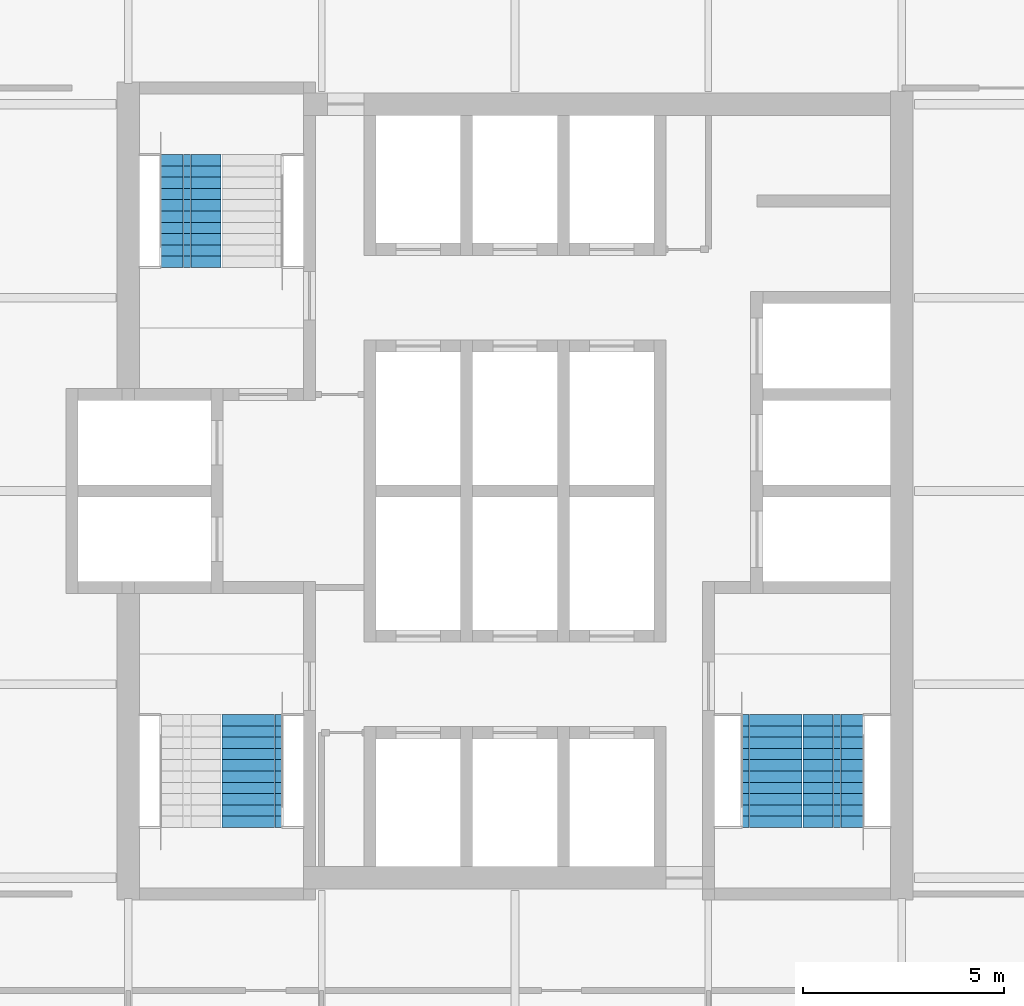
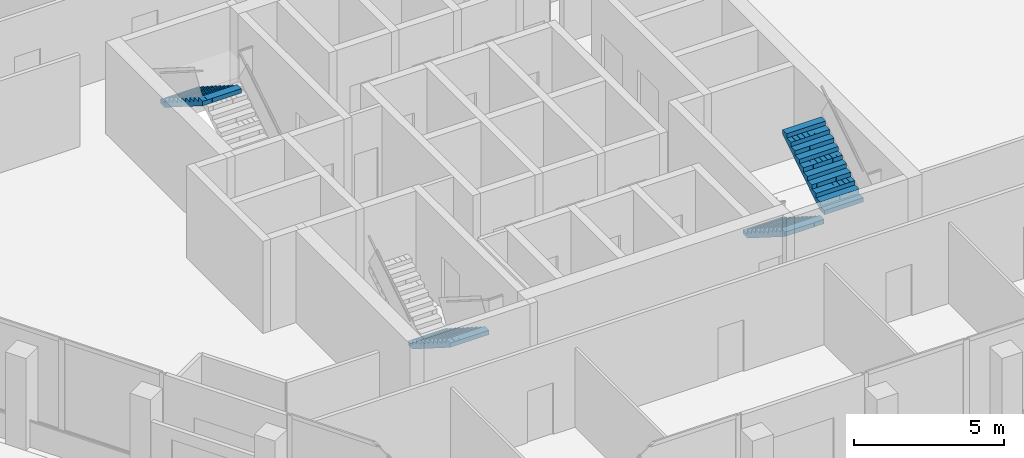
# One storey, part 11 of 14: 4 stair flights, 3 elements without a shape of their own.
"""IFC4 building model written with IfcOpenShell, lengths in metres."""

import ifcopenshell
import ifcopenshell.guid

model = None  # the IFC model being written
_history = None  # IfcOwnerHistory: only IFC2X3 demands one
_inside = {}  # id of a spatial element -> (the spatial element, [elements in it])
_under = {}  # id of a project, library or spatial element -> (it, [spatial elements below it])
_declared = {}  # id of a project -> (the project, [libraries it declares])
_typed = {}  # id of a type object -> (the type object, [elements of that type])
_made_of = {}  # id of a material, layer set ... -> (it, [elements and type objects made of it])


def new_model(schema):
    """Start an empty IFC model of exactly this schema.

    Asked for "IFC4X3", IfcOpenShell would pick the latest addendum, in which some entities
    have other attributes; the version numbers below select the first issue.
    IFC2X3 requires an IfcOwnerHistory on every rooted entity: one is made here for all.
    """
    global model, _history
    if schema == "IFC4X3":
        model = ifcopenshell.file(schema_version=(4, 3, 0, 0))
    else:
        model = ifcopenshell.file(schema=schema)
    _inside.clear()
    _under.clear()
    _declared.clear()
    _typed.clear()
    _made_of.clear()
    _history = None
    if model.schema == "IFC2X3":
        org = make("IfcOrganization", Name="unknown")
        user = make(
            "IfcPersonAndOrganization",
            ThePerson=make("IfcPerson", FamilyName="unknown"),
            TheOrganization=org,
        )
        app = make(
            "IfcApplication",
            ApplicationDeveloper=org,
            Version="unknown",
            ApplicationFullName="unknown",
            ApplicationIdentifier="unknown",
        )
        _history = make(
            "IfcOwnerHistory",
            OwningUser=user,
            OwningApplication=app,
            ChangeAction="ADDED",
            CreationDate=0,
        )
    return model


def make(cls, **values):
    """One entity of the class cls with the attributes given. An attribute that is None is left unset."""
    return model.create_entity(
        cls, **{name: value for name, value in values.items() if value is not None}
    )


def rooted(cls, **values):
    """An entity with a GlobalId (a new one), such as an element, a storey or a relation."""
    return make(cls, GlobalId=ifcopenshell.guid.new(), OwnerHistory=_history, **values)


def si_unit(unit_type, name, prefix=None):
    """IfcSIUnit, for example si_unit("LENGTHUNIT", "METRE", prefix="MILLI")."""
    return make("IfcSIUnit", UnitType=unit_type, Prefix=prefix, Name=name)


def assignment(units):
    """IfcUnitAssignment: the units of a project."""
    return None if units is None else make("IfcUnitAssignment", Units=units)


def point(xyz):
    """IfcCartesianPoint."""
    return None if xyz is None else make("IfcCartesianPoint", Coordinates=xyz)


def direction(xyz):
    """IfcDirection."""
    return None if xyz is None else make("IfcDirection", DirectionRatios=xyz)


def frame(location, z_axis=None, x_axis=None):
    """IfcAxis2Placement3D, a coordinate frame: its origin and axes. An axis left out is left unset."""
    return make(
        "IfcAxis2Placement3D",
        Location=point(location),
        Axis=direction(z_axis),
        RefDirection=direction(x_axis),
    )


def origin():
    """The frame at (0, 0, 0) with its axes left unset."""
    return frame((0.0, 0.0, 0.0))


def place(relative_to, where):
    """IfcLocalPlacement: puts the frame where relative to a parent placement (None: the world)."""
    return make(
        "IfcLocalPlacement", PlacementRelTo=relative_to, RelativePlacement=where
    )


def context(
    kind, dimensions, precision=None, world=None, true_north=None, identifier=None
):
    """IfcGeometricRepresentationContext, for example the 3D "Model" context."""
    return make(
        "IfcGeometricRepresentationContext",
        ContextIdentifier=identifier,
        ContextType=kind,
        CoordinateSpaceDimension=dimensions,
        Precision=precision,
        WorldCoordinateSystem=world,
        TrueNorth=true_north,
    )


def subcontext(parent, identifier, kind, view, scale=None):
    """IfcGeometricRepresentationSubContext, for example "Body" below "Model"."""
    return make(
        "IfcGeometricRepresentationSubContext",
        ContextIdentifier=identifier,
        ContextType=kind,
        ParentContext=parent,
        TargetScale=scale,
        TargetView=view,
    )


def project(units=None, contexts=None):
    """IfcProject with its units and contexts."""
    return rooted(
        "IfcProject",
        Name="project",
        RepresentationContexts=contexts,
        UnitsInContext=assignment(units),
    )


def spatial(cls, under=None, at=None, **own):
    """A site, building, storey or space (cls), placed at a placement, below another one or the project."""
    s = rooted(cls, ObjectPlacement=at, **own)
    if under is not None:
        _under.setdefault(under.id(), (under, []))[1].append(s)
    return s


def polyline(points):
    """IfcPolyline through the points."""
    return make("IfcPolyline", Points=[point(p) for p in points])


def outline(outer, holes=None, kind="AREA"):
    """IfcArbitraryClosedProfileDef: a profile drawn as a closed curve; with holes, ...WithVoids."""
    if holes is None:
        return make("IfcArbitraryClosedProfileDef", ProfileType=kind, OuterCurve=outer)
    return make(
        "IfcArbitraryProfileDefWithVoids",
        ProfileType=kind,
        OuterCurve=outer,
        InnerCurves=holes,
    )


def extrude(swept, where, along, depth):
    """IfcExtrudedAreaSolid: the profile swept, set in the frame where, extruded along a direction by depth."""
    return make(
        "IfcExtrudedAreaSolid",
        SweptArea=swept,
        Position=where,
        ExtrudedDirection=direction(along),
        Depth=depth,
    )


def shape(context_of_items, identifier, shape_type, items):
    """IfcShapeRepresentation: the items that make up one representation, for example the "Body"."""
    return make(
        "IfcShapeRepresentation",
        ContextOfItems=context_of_items,
        RepresentationIdentifier=identifier,
        RepresentationType=shape_type,
        Items=items,
    )


def material(Name=None, Category=None):
    """IfcMaterial."""
    return make("IfcMaterial", Name=Name, Category=Category)


def made_of(thing, what):
    """Note that an element or type object is made of a material, layer set ...; save() writes the relation."""
    if what is not None:
        _made_of.setdefault(what.id(), (what, []))[1].append(thing)
    return thing


def type_object(cls, material=None, **own):
    """A type object (cls), such as IfcWallType, which elements share."""
    return made_of(rooted(cls, **own), material)


def element(
    cls,
    number,
    at=None,
    inside=None,
    cuts=None,
    type_object=None,
    material=None,
    context=None,
    identifier="Body",
    shape_type=None,
    held_by="IfcProductDefinitionShape",
    body=None,
    shapes=None,
    **own,
):
    """One element of the class cls, such as IfcWall. Its Tag is "e" and its number.

    at: its placement. inside: the storey or other place that contains it. cuts: it is an
    opening in that element (IfcRelVoidsElement). A single representation is given by context,
    identifier, shape_type and body (its items); several are given by shapes. held_by: the class
    of the entity that holds the representations. save() writes the other relations.
    """
    e = rooted(cls, Tag="e%d" % number, ObjectPlacement=at, **own)
    if body is not None:
        shapes = [shape(context, identifier, shape_type, body)]
    if shapes is not None:
        e.Representation = make(held_by, Representations=shapes)
    if inside is not None:
        _inside.setdefault(inside.id(), (inside, []))[1].append(e)
    if cuts is not None:
        rooted(
            "IfcRelVoidsElement", RelatingBuildingElement=cuts, RelatedOpeningElement=e
        )
    if type_object is not None:
        _typed.setdefault(type_object.id(), (type_object, []))[1].append(e)
    return made_of(e, material)


def aggregate(whole, parts):
    """IfcRelAggregates: a whole, such as a stair, and the parts it consists of."""
    return rooted("IfcRelAggregates", RelatingObject=whole, RelatedObjects=parts)


def save(model, path):
    """Write the relations noted so far, then the file.

    IfcRelAggregates (storeys below a building ...), IfcRelContainedInSpatialStructure (elements
    in a storey), IfcRelDefinesByType, IfcRelAssociatesMaterial and IfcRelDeclares: one each for
    every whole, place, type object, material and project.
    """
    for whole, parts in _under.values():
        aggregate(whole, parts)
    for where, things in _inside.values():
        rooted(
            "IfcRelContainedInSpatialStructure",
            RelatedElements=things,
            RelatingStructure=where,
        )
    for kind, things in _typed.values():
        rooted("IfcRelDefinesByType", RelatedObjects=things, RelatingType=kind)
    for what, things in _made_of.values():
        rooted("IfcRelAssociatesMaterial", RelatedObjects=things, RelatingMaterial=what)
    for by, libraries in _declared.values():
        rooted("IfcRelDeclares", RelatingContext=by, RelatedDefinitions=libraries)
    model.write(path)


model = new_model("IFC4")

# Units and contexts
model_context = context("Model", 3, precision=1e-05, world=origin(), true_north=direction((0.0, 1.0)))
body_context = subcontext(model_context, "Body", "Model", "MODEL_VIEW")
ifc_project = project(units=[si_unit("LENGTHUNIT", "METRE"), si_unit("AREAUNIT", "SQUARE_METRE"), si_unit("VOLUMEUNIT", "CUBIC_METRE"), si_unit("PLANEANGLEUNIT", "RADIAN"), si_unit("MASSUNIT", "GRAM", prefix="KILO")], contexts=[model_context])

# Site, building, storey
site_placement = place(None, origin())
site = spatial("IfcSite", under=ifc_project, at=site_placement, CompositionType="ELEMENT")
building_placement = place(site_placement, origin())
building = spatial("IfcBuilding", under=site, at=building_placement, Name="Kolab Exchange Tower", CompositionType="ELEMENT")
storey_placement = place(building_placement, frame((0.0, 0.0, 222.800048828125)))
storey = spatial("IfcBuildingStorey", under=building, at=storey_placement, Name="L48", CompositionType="ELEMENT", Elevation=222.800048828125)

# Stair, stair flight
ifc_material = material(Name="Concrete C50/60", Category="concrete")
stair_type_1 = type_object("IfcStairType", Name="STAIR ST1 RISER 177.3", PredefinedType="HALF_TURN_STAIR", material=ifc_material)
stair_1_placement = place(storey_placement, origin())
stair_1 = element("IfcStair", 1, at=stair_1_placement, inside=storey, type_object=stair_type_1, Name="Stair 1", PredefinedType="HALF_TURN_STAIR")
stair_flight_type = type_object("IfcStairFlightType", Name="STAIR FLIGHT 1500 RISER 177.3", PredefinedType="STRAIGHT", material=ifc_material)
stair_flight_1_placement = place(storey_placement, frame((-8.047607421875, 8.35009765625, 1.949951171875), z_axis=(0.0, 0.0, 1.0), x_axis=(0.0, -1.0, 0.0)))
stair_flight_1 = element("IfcStairFlight", 2, at=stair_flight_1_placement, type_object=stair_flight_type, Name="ST1 flight 2", NumberOfRisers=11, NumberOfTreads=10, PredefinedType="STRAIGHT", RiserHeight=0.177272727, TreadLength=0.28, context=body_context, shape_type="SweptSolid", body=[
    extrude(outline(polyline([(0.0, 0.0), (0.0, 0.17724609375), (0.280029296875, 0.17724609375), (0.280029296875, 0.3544921875), (0.56005859375, 0.3544921875), (0.56005859375, 0.53173828125), (0.840087890625, 0.53173828125), (0.840087890625, 0.708984375), (1.1201171875, 0.708984375), (1.1201171875, 0.886474609375), (1.39990234375, 0.886474609375), (1.39990234375, 1.063720703125), (1.679931640625, 1.063720703125), (1.679931640625, 1.240966796875), (1.9599609375, 1.240966796875), (1.9599609375, 1.418212890625), (2.239990234375, 1.418212890625), (2.239990234375, 1.595458984375), (2.52001953125, 1.595458984375), (2.52001953125, 1.772705078125), (2.800048828125, 1.772705078125), (2.800048828125, 1.949951171875), (2.800048828125, 1.59521484375), (0.2802734375, 0.0), (0.0, 0.0)])), frame((0.0, 0.75, 0.0), z_axis=(0.0, -1.0, 0.0), x_axis=(1.0, 0.0, 0.0)), (0.0, 0.0, 1.0), 0.185791015625),
    extrude(outline(polyline([(0.0, 0.0), (0.0, 0.17724609375), (0.280029296875, 0.17724609375), (0.280029296875, 0.3544921875), (0.56005859375, 0.3544921875), (0.56005859375, 0.53173828125), (0.840087890625, 0.53173828125), (0.840087890625, 0.708984375), (1.1201171875, 0.708984375), (1.1201171875, 0.886474609375), (1.39990234375, 0.886474609375), (1.39990234375, 1.063720703125), (1.679931640625, 1.063720703125), (1.679931640625, 1.240966796875), (1.9599609375, 1.240966796875), (1.9599609375, 1.418212890625), (2.239990234375, 1.418212890625), (2.239990234375, 1.595458984375), (2.52001953125, 1.595458984375), (2.52001953125, 1.772705078125), (2.800048828125, 1.772705078125), (2.800048828125, 1.949951171875), (2.800048828125, 1.59521484375), (0.2802734375, 0.0), (0.0, 0.0)])), frame((0.0, 0.562255859375, 0.0), z_axis=(0.0, -1.0, 0.0), x_axis=(1.0, 0.0, 0.0)), (0.0, 0.0, 1.0), 0.185791015625),
    extrude(outline(polyline([(0.0, 0.0), (0.0, 0.17724609375), (0.280029296875, 0.17724609375), (0.280029296875, 0.3544921875), (0.56005859375, 0.3544921875), (0.56005859375, 0.53173828125), (0.840087890625, 0.53173828125), (0.840087890625, 0.708984375), (1.1201171875, 0.708984375), (1.1201171875, 0.886474609375), (1.39990234375, 0.886474609375), (1.39990234375, 1.063720703125), (1.679931640625, 1.063720703125), (1.679931640625, 1.240966796875), (1.9599609375, 1.240966796875), (1.9599609375, 1.418212890625), (2.239990234375, 1.418212890625), (2.239990234375, 1.595458984375), (2.52001953125, 1.595458984375), (2.52001953125, 1.772705078125), (2.800048828125, 1.772705078125), (2.800048828125, 1.949951171875), (2.800048828125, 1.59521484375), (0.2802734375, 0.0), (0.0, 0.0)])), frame((0.0, 0.37451171875, 0.0), z_axis=(0.0, -1.0, 0.0), x_axis=(1.0, 0.0, 0.0)), (0.0, 0.0, 1.0), 0.185791015625),
    extrude(outline(polyline([(0.0, 0.0), (0.0, 0.17724609375), (0.280029296875, 0.17724609375), (0.280029296875, 0.3544921875), (0.56005859375, 0.3544921875), (0.56005859375, 0.53173828125), (0.840087890625, 0.53173828125), (0.840087890625, 0.708984375), (1.1201171875, 0.708984375), (1.1201171875, 0.886474609375), (1.39990234375, 0.886474609375), (1.39990234375, 1.063720703125), (1.679931640625, 1.063720703125), (1.679931640625, 1.240966796875), (1.9599609375, 1.240966796875), (1.9599609375, 1.418212890625), (2.239990234375, 1.418212890625), (2.239990234375, 1.595458984375), (2.52001953125, 1.595458984375), (2.52001953125, 1.772705078125), (2.800048828125, 1.772705078125), (2.800048828125, 1.949951171875), (2.800048828125, 1.59521484375), (0.2802734375, 0.0), (0.0, 0.0)])), frame((0.0, 0.186767578125, 0.0), z_axis=(0.0, -1.0, 0.0), x_axis=(1.0, 0.0, 0.0)), (0.0, 0.0, 1.0), 0.185791015625),
    extrude(outline(polyline([(0.0, 0.0), (0.0, 0.17724609375), (0.280029296875, 0.17724609375), (0.280029296875, 0.3544921875), (0.56005859375, 0.3544921875), (0.56005859375, 0.53173828125), (0.840087890625, 0.53173828125), (0.840087890625, 0.708984375), (1.1201171875, 0.708984375), (1.1201171875, 0.886474609375), (1.39990234375, 0.886474609375), (1.39990234375, 1.063720703125), (1.679931640625, 1.063720703125), (1.679931640625, 1.240966796875), (1.9599609375, 1.240966796875), (1.9599609375, 1.418212890625), (2.239990234375, 1.418212890625), (2.239990234375, 1.595458984375), (2.52001953125, 1.595458984375), (2.52001953125, 1.772705078125), (2.800048828125, 1.772705078125), (2.800048828125, 1.949951171875), (2.800048828125, 1.59521484375), (0.2802734375, 0.0), (0.0, 0.0)])), frame((0.0, -0.0009765625, 0.0), z_axis=(0.0, -1.0, 0.0), x_axis=(1.0, 0.0, 0.0)), (0.0, 0.0, 1.0), 0.185791015625),
    extrude(outline(polyline([(0.0, 0.0), (0.0, 0.17724609375), (0.280029296875, 0.17724609375), (0.280029296875, 0.3544921875), (0.56005859375, 0.3544921875), (0.56005859375, 0.53173828125), (0.840087890625, 0.53173828125), (0.840087890625, 0.708984375), (1.1201171875, 0.708984375), (1.1201171875, 0.886474609375), (1.39990234375, 0.886474609375), (1.39990234375, 1.063720703125), (1.679931640625, 1.063720703125), (1.679931640625, 1.240966796875), (1.9599609375, 1.240966796875), (1.9599609375, 1.418212890625), (2.239990234375, 1.418212890625), (2.239990234375, 1.595458984375), (2.52001953125, 1.595458984375), (2.52001953125, 1.772705078125), (2.800048828125, 1.772705078125), (2.800048828125, 1.949951171875), (2.800048828125, 1.59521484375), (0.2802734375, 0.0), (0.0, 0.0)])), frame((0.0, -0.188720703125, 0.0), z_axis=(0.0, -1.0, 0.0), x_axis=(1.0, 0.0, 0.0)), (0.0, 0.0, 1.0), 0.185791015625),
    extrude(outline(polyline([(0.0, 0.0), (0.0, 0.17724609375), (0.280029296875, 0.17724609375), (0.280029296875, 0.3544921875), (0.56005859375, 0.3544921875), (0.56005859375, 0.53173828125), (0.840087890625, 0.53173828125), (0.840087890625, 0.708984375), (1.1201171875, 0.708984375), (1.1201171875, 0.886474609375), (1.39990234375, 0.886474609375), (1.39990234375, 1.063720703125), (1.679931640625, 1.063720703125), (1.679931640625, 1.240966796875), (1.9599609375, 1.240966796875), (1.9599609375, 1.418212890625), (2.239990234375, 1.418212890625), (2.239990234375, 1.595458984375), (2.52001953125, 1.595458984375), (2.52001953125, 1.772705078125), (2.800048828125, 1.772705078125), (2.800048828125, 1.949951171875), (2.800048828125, 1.59521484375), (0.2802734375, 0.0), (0.0, 0.0)])), frame((0.0, -0.37646484375, 0.0), z_axis=(0.0, -1.0, 0.0), x_axis=(1.0, 0.0, 0.0)), (0.0, 0.0, 1.0), 0.185791015625),
    extrude(outline(polyline([(0.0, 0.0), (0.0, 0.17724609375), (0.280029296875, 0.17724609375), (0.280029296875, 0.3544921875), (0.56005859375, 0.3544921875), (0.56005859375, 0.53173828125), (0.840087890625, 0.53173828125), (0.840087890625, 0.708984375), (1.1201171875, 0.708984375), (1.1201171875, 0.886474609375), (1.39990234375, 0.886474609375), (1.39990234375, 1.063720703125), (1.679931640625, 1.063720703125), (1.679931640625, 1.240966796875), (1.9599609375, 1.240966796875), (1.9599609375, 1.418212890625), (2.239990234375, 1.418212890625), (2.239990234375, 1.595458984375), (2.52001953125, 1.595458984375), (2.52001953125, 1.772705078125), (2.800048828125, 1.772705078125), (2.800048828125, 1.949951171875), (2.800048828125, 1.59521484375), (0.2802734375, 0.0), (0.0, 0.0)])), frame((0.0, -0.564208984375, 0.0), z_axis=(0.0, -1.0, 0.0), x_axis=(1.0, 0.0, 0.0)), (0.0, 0.0, 1.0), 0.185791015625),
])
aggregate(stair_1, [stair_flight_1])

stair_type_2 = type_object("IfcStairType", Name="STAIR ST3 RISER 177.3", PredefinedType="HALF_TURN_STAIR", material=ifc_material)
stair_2_placement = place(storey_placement, origin())
stair_2 = element("IfcStair", 3, at=stair_2_placement, inside=storey, type_object=stair_type_2, Name="Stair 3", PredefinedType="HALF_TURN_STAIR")
stair_flight_2_placement = place(storey_placement, frame((-6.527587890625, -5.550048828125, 0.0), z_axis=(0.0, 0.0, 1.0), x_axis=(0.0, -1.0, 0.0)))
stair_flight_2 = element("IfcStairFlight", 4, at=stair_flight_2_placement, type_object=stair_flight_type, Name="ST3 flight 1", NumberOfRisers=11, NumberOfTreads=10, PredefinedType="STRAIGHT", RiserHeight=0.177272727, TreadLength=0.28, context=body_context, shape_type="SweptSolid", body=[
    extrude(outline(polyline([(0.0, 0.0), (0.0, 0.17724609375), (0.280029296875, 0.17724609375), (0.280029296875, 0.3544921875), (0.56005859375, 0.3544921875), (0.56005859375, 0.53173828125), (0.840087890625, 0.53173828125), (0.840087890625, 0.708984375), (1.1201171875, 0.708984375), (1.1201171875, 0.886474609375), (1.39990234375, 0.886474609375), (1.39990234375, 1.063720703125), (1.679931640625, 1.063720703125), (1.679931640625, 1.240966796875), (1.9599609375, 1.240966796875), (1.9599609375, 1.418212890625), (2.239990234375, 1.418212890625), (2.239990234375, 1.595458984375), (2.52001953125, 1.595458984375), (2.52001953125, 1.772705078125), (2.800048828125, 1.772705078125), (2.800048828125, 1.949951171875), (2.800048828125, 1.59521484375), (0.2802734375, 0.0), (0.0, 0.0)])), frame((0.0, 0.75, 0.0), z_axis=(0.0, -1.0, 0.0), x_axis=(1.0, 0.0, 0.0)), (0.0, 0.0, 1.0), 0.185791015625),
    extrude(outline(polyline([(0.0, 0.0), (0.0, 0.17724609375), (0.280029296875, 0.17724609375), (0.280029296875, 0.3544921875), (0.56005859375, 0.3544921875), (0.56005859375, 0.53173828125), (0.840087890625, 0.53173828125), (0.840087890625, 0.708984375), (1.1201171875, 0.708984375), (1.1201171875, 0.886474609375), (1.39990234375, 0.886474609375), (1.39990234375, 1.063720703125), (1.679931640625, 1.063720703125), (1.679931640625, 1.240966796875), (1.9599609375, 1.240966796875), (1.9599609375, 1.418212890625), (2.239990234375, 1.418212890625), (2.239990234375, 1.595458984375), (2.52001953125, 1.595458984375), (2.52001953125, 1.772705078125), (2.800048828125, 1.772705078125), (2.800048828125, 1.949951171875), (2.800048828125, 1.59521484375), (0.2802734375, 0.0), (0.0, 0.0)])), frame((0.0, 0.562255859375, 0.0), z_axis=(0.0, -1.0, 0.0), x_axis=(1.0, 0.0, 0.0)), (0.0, 0.0, 1.0), 0.185791015625),
    extrude(outline(polyline([(0.0, 0.0), (0.0, 0.17724609375), (0.280029296875, 0.17724609375), (0.280029296875, 0.3544921875), (0.56005859375, 0.3544921875), (0.56005859375, 0.53173828125), (0.840087890625, 0.53173828125), (0.840087890625, 0.708984375), (1.1201171875, 0.708984375), (1.1201171875, 0.886474609375), (1.39990234375, 0.886474609375), (1.39990234375, 1.063720703125), (1.679931640625, 1.063720703125), (1.679931640625, 1.240966796875), (1.9599609375, 1.240966796875), (1.9599609375, 1.418212890625), (2.239990234375, 1.418212890625), (2.239990234375, 1.595458984375), (2.52001953125, 1.595458984375), (2.52001953125, 1.772705078125), (2.800048828125, 1.772705078125), (2.800048828125, 1.949951171875), (2.800048828125, 1.59521484375), (0.2802734375, 0.0), (0.0, 0.0)])), frame((0.0, 0.37451171875, 0.0), z_axis=(0.0, -1.0, 0.0), x_axis=(1.0, 0.0, 0.0)), (0.0, 0.0, 1.0), 0.185791015625),
    extrude(outline(polyline([(0.0, 0.0), (0.0, 0.17724609375), (0.280029296875, 0.17724609375), (0.280029296875, 0.3544921875), (0.56005859375, 0.3544921875), (0.56005859375, 0.53173828125), (0.840087890625, 0.53173828125), (0.840087890625, 0.708984375), (1.1201171875, 0.708984375), (1.1201171875, 0.886474609375), (1.39990234375, 0.886474609375), (1.39990234375, 1.063720703125), (1.679931640625, 1.063720703125), (1.679931640625, 1.240966796875), (1.9599609375, 1.240966796875), (1.9599609375, 1.418212890625), (2.239990234375, 1.418212890625), (2.239990234375, 1.595458984375), (2.52001953125, 1.595458984375), (2.52001953125, 1.772705078125), (2.800048828125, 1.772705078125), (2.800048828125, 1.949951171875), (2.800048828125, 1.59521484375), (0.2802734375, 0.0), (0.0, 0.0)])), frame((0.0, 0.186767578125, 0.0), z_axis=(0.0, -1.0, 0.0), x_axis=(1.0, 0.0, 0.0)), (0.0, 0.0, 1.0), 0.185791015625),
    extrude(outline(polyline([(0.0, 0.0), (0.0, 0.17724609375), (0.280029296875, 0.17724609375), (0.280029296875, 0.3544921875), (0.56005859375, 0.3544921875), (0.56005859375, 0.53173828125), (0.840087890625, 0.53173828125), (0.840087890625, 0.708984375), (1.1201171875, 0.708984375), (1.1201171875, 0.886474609375), (1.39990234375, 0.886474609375), (1.39990234375, 1.063720703125), (1.679931640625, 1.063720703125), (1.679931640625, 1.240966796875), (1.9599609375, 1.240966796875), (1.9599609375, 1.418212890625), (2.239990234375, 1.418212890625), (2.239990234375, 1.595458984375), (2.52001953125, 1.595458984375), (2.52001953125, 1.772705078125), (2.800048828125, 1.772705078125), (2.800048828125, 1.949951171875), (2.800048828125, 1.59521484375), (0.2802734375, 0.0), (0.0, 0.0)])), frame((0.0, -0.0009765625, 0.0), z_axis=(0.0, -1.0, 0.0), x_axis=(1.0, 0.0, 0.0)), (0.0, 0.0, 1.0), 0.185791015625),
    extrude(outline(polyline([(0.0, 0.0), (0.0, 0.17724609375), (0.280029296875, 0.17724609375), (0.280029296875, 0.3544921875), (0.56005859375, 0.3544921875), (0.56005859375, 0.53173828125), (0.840087890625, 0.53173828125), (0.840087890625, 0.708984375), (1.1201171875, 0.708984375), (1.1201171875, 0.886474609375), (1.39990234375, 0.886474609375), (1.39990234375, 1.063720703125), (1.679931640625, 1.063720703125), (1.679931640625, 1.240966796875), (1.9599609375, 1.240966796875), (1.9599609375, 1.418212890625), (2.239990234375, 1.418212890625), (2.239990234375, 1.595458984375), (2.52001953125, 1.595458984375), (2.52001953125, 1.772705078125), (2.800048828125, 1.772705078125), (2.800048828125, 1.949951171875), (2.800048828125, 1.59521484375), (0.2802734375, 0.0), (0.0, 0.0)])), frame((0.0, -0.188720703125, 0.0), z_axis=(0.0, -1.0, 0.0), x_axis=(1.0, 0.0, 0.0)), (0.0, 0.0, 1.0), 0.185791015625),
    extrude(outline(polyline([(0.0, 0.0), (0.0, 0.17724609375), (0.280029296875, 0.17724609375), (0.280029296875, 0.3544921875), (0.56005859375, 0.3544921875), (0.56005859375, 0.53173828125), (0.840087890625, 0.53173828125), (0.840087890625, 0.708984375), (1.1201171875, 0.708984375), (1.1201171875, 0.886474609375), (1.39990234375, 0.886474609375), (1.39990234375, 1.063720703125), (1.679931640625, 1.063720703125), (1.679931640625, 1.240966796875), (1.9599609375, 1.240966796875), (1.9599609375, 1.418212890625), (2.239990234375, 1.418212890625), (2.239990234375, 1.595458984375), (2.52001953125, 1.595458984375), (2.52001953125, 1.772705078125), (2.800048828125, 1.772705078125), (2.800048828125, 1.949951171875), (2.800048828125, 1.59521484375), (0.2802734375, 0.0), (0.0, 0.0)])), frame((0.0, -0.37646484375, 0.0), z_axis=(0.0, -1.0, 0.0), x_axis=(1.0, 0.0, 0.0)), (0.0, 0.0, 1.0), 0.185791015625),
    extrude(outline(polyline([(0.0, 0.0), (0.0, 0.17724609375), (0.280029296875, 0.17724609375), (0.280029296875, 0.3544921875), (0.56005859375, 0.3544921875), (0.56005859375, 0.53173828125), (0.840087890625, 0.53173828125), (0.840087890625, 0.708984375), (1.1201171875, 0.708984375), (1.1201171875, 0.886474609375), (1.39990234375, 0.886474609375), (1.39990234375, 1.063720703125), (1.679931640625, 1.063720703125), (1.679931640625, 1.240966796875), (1.9599609375, 1.240966796875), (1.9599609375, 1.418212890625), (2.239990234375, 1.418212890625), (2.239990234375, 1.595458984375), (2.52001953125, 1.595458984375), (2.52001953125, 1.772705078125), (2.800048828125, 1.772705078125), (2.800048828125, 1.949951171875), (2.800048828125, 1.59521484375), (0.2802734375, 0.0), (0.0, 0.0)])), frame((0.0, -0.564208984375, 0.0), z_axis=(0.0, -1.0, 0.0), x_axis=(1.0, 0.0, 0.0)), (0.0, 0.0, 1.0), 0.185791015625),
])
aggregate(stair_2, [stair_flight_2])

# Stair, stair flights
stair_type_3 = type_object("IfcStairType", Name="STAIR ST2 RISER 177.3", PredefinedType="HALF_TURN_STAIR", material=ifc_material)
stair_3_placement = place(storey_placement, origin())
stair_3 = element("IfcStair", 5, at=stair_3_placement, inside=storey, type_object=stair_type_3, Name="Stair 2", PredefinedType="HALF_TURN_STAIR")
stair_flight_3_placement = place(storey_placement, frame((6.37744140625, -5.550048828125, 0.0), z_axis=(0.0, 0.0, 1.0), x_axis=(0.0, -1.0, 0.0)))
stair_flight_3 = element("IfcStairFlight", 6, at=stair_flight_3_placement, type_object=stair_flight_type, Name="ST2 flight 1", NumberOfRisers=11, NumberOfTreads=10, PredefinedType="STRAIGHT", RiserHeight=0.177272727, TreadLength=0.28, context=body_context, shape_type="SweptSolid", body=[
    extrude(outline(polyline([(0.0, 0.0), (0.0, 0.17724609375), (0.280029296875, 0.17724609375), (0.280029296875, 0.3544921875), (0.56005859375, 0.3544921875), (0.56005859375, 0.53173828125), (0.840087890625, 0.53173828125), (0.840087890625, 0.708984375), (1.1201171875, 0.708984375), (1.1201171875, 0.886474609375), (1.39990234375, 0.886474609375), (1.39990234375, 1.063720703125), (1.679931640625, 1.063720703125), (1.679931640625, 1.240966796875), (1.9599609375, 1.240966796875), (1.9599609375, 1.418212890625), (2.239990234375, 1.418212890625), (2.239990234375, 1.595458984375), (2.52001953125, 1.595458984375), (2.52001953125, 1.772705078125), (2.800048828125, 1.772705078125), (2.800048828125, 1.949951171875), (2.800048828125, 1.59521484375), (0.2802734375, 0.0), (0.0, 0.0)])), frame((0.0, 0.75, 0.0), z_axis=(0.0, -1.0, 0.0), x_axis=(1.0, 0.0, 0.0)), (0.0, 0.0, 1.0), 0.185791015625),
    extrude(outline(polyline([(0.0, 0.0), (0.0, 0.17724609375), (0.280029296875, 0.17724609375), (0.280029296875, 0.3544921875), (0.56005859375, 0.3544921875), (0.56005859375, 0.53173828125), (0.840087890625, 0.53173828125), (0.840087890625, 0.708984375), (1.1201171875, 0.708984375), (1.1201171875, 0.886474609375), (1.39990234375, 0.886474609375), (1.39990234375, 1.063720703125), (1.679931640625, 1.063720703125), (1.679931640625, 1.240966796875), (1.9599609375, 1.240966796875), (1.9599609375, 1.418212890625), (2.239990234375, 1.418212890625), (2.239990234375, 1.595458984375), (2.52001953125, 1.595458984375), (2.52001953125, 1.772705078125), (2.800048828125, 1.772705078125), (2.800048828125, 1.949951171875), (2.800048828125, 1.59521484375), (0.2802734375, 0.0), (0.0, 0.0)])), frame((0.0, 0.562255859375, 0.0), z_axis=(0.0, -1.0, 0.0), x_axis=(1.0, 0.0, 0.0)), (0.0, 0.0, 1.0), 0.185791015625),
    extrude(outline(polyline([(0.0, 0.0), (0.0, 0.17724609375), (0.280029296875, 0.17724609375), (0.280029296875, 0.3544921875), (0.56005859375, 0.3544921875), (0.56005859375, 0.53173828125), (0.840087890625, 0.53173828125), (0.840087890625, 0.708984375), (1.1201171875, 0.708984375), (1.1201171875, 0.886474609375), (1.39990234375, 0.886474609375), (1.39990234375, 1.063720703125), (1.679931640625, 1.063720703125), (1.679931640625, 1.240966796875), (1.9599609375, 1.240966796875), (1.9599609375, 1.418212890625), (2.239990234375, 1.418212890625), (2.239990234375, 1.595458984375), (2.52001953125, 1.595458984375), (2.52001953125, 1.772705078125), (2.800048828125, 1.772705078125), (2.800048828125, 1.949951171875), (2.800048828125, 1.59521484375), (0.2802734375, 0.0), (0.0, 0.0)])), frame((0.0, 0.37451171875, 0.0), z_axis=(0.0, -1.0, 0.0), x_axis=(1.0, 0.0, 0.0)), (0.0, 0.0, 1.0), 0.185791015625),
    extrude(outline(polyline([(0.0, 0.0), (0.0, 0.17724609375), (0.280029296875, 0.17724609375), (0.280029296875, 0.3544921875), (0.56005859375, 0.3544921875), (0.56005859375, 0.53173828125), (0.840087890625, 0.53173828125), (0.840087890625, 0.708984375), (1.1201171875, 0.708984375), (1.1201171875, 0.886474609375), (1.39990234375, 0.886474609375), (1.39990234375, 1.063720703125), (1.679931640625, 1.063720703125), (1.679931640625, 1.240966796875), (1.9599609375, 1.240966796875), (1.9599609375, 1.418212890625), (2.239990234375, 1.418212890625), (2.239990234375, 1.595458984375), (2.52001953125, 1.595458984375), (2.52001953125, 1.772705078125), (2.800048828125, 1.772705078125), (2.800048828125, 1.949951171875), (2.800048828125, 1.59521484375), (0.2802734375, 0.0), (0.0, 0.0)])), frame((0.0, 0.186767578125, 0.0), z_axis=(0.0, -1.0, 0.0), x_axis=(1.0, 0.0, 0.0)), (0.0, 0.0, 1.0), 0.185791015625),
    extrude(outline(polyline([(0.0, 0.0), (0.0, 0.17724609375), (0.280029296875, 0.17724609375), (0.280029296875, 0.3544921875), (0.56005859375, 0.3544921875), (0.56005859375, 0.53173828125), (0.840087890625, 0.53173828125), (0.840087890625, 0.708984375), (1.1201171875, 0.708984375), (1.1201171875, 0.886474609375), (1.39990234375, 0.886474609375), (1.39990234375, 1.063720703125), (1.679931640625, 1.063720703125), (1.679931640625, 1.240966796875), (1.9599609375, 1.240966796875), (1.9599609375, 1.418212890625), (2.239990234375, 1.418212890625), (2.239990234375, 1.595458984375), (2.52001953125, 1.595458984375), (2.52001953125, 1.772705078125), (2.800048828125, 1.772705078125), (2.800048828125, 1.949951171875), (2.800048828125, 1.59521484375), (0.2802734375, 0.0), (0.0, 0.0)])), frame((0.0, -0.0009765625, 0.0), z_axis=(0.0, -1.0, 0.0), x_axis=(1.0, 0.0, 0.0)), (0.0, 0.0, 1.0), 0.185791015625),
    extrude(outline(polyline([(0.0, 0.0), (0.0, 0.17724609375), (0.280029296875, 0.17724609375), (0.280029296875, 0.3544921875), (0.56005859375, 0.3544921875), (0.56005859375, 0.53173828125), (0.840087890625, 0.53173828125), (0.840087890625, 0.708984375), (1.1201171875, 0.708984375), (1.1201171875, 0.886474609375), (1.39990234375, 0.886474609375), (1.39990234375, 1.063720703125), (1.679931640625, 1.063720703125), (1.679931640625, 1.240966796875), (1.9599609375, 1.240966796875), (1.9599609375, 1.418212890625), (2.239990234375, 1.418212890625), (2.239990234375, 1.595458984375), (2.52001953125, 1.595458984375), (2.52001953125, 1.772705078125), (2.800048828125, 1.772705078125), (2.800048828125, 1.949951171875), (2.800048828125, 1.59521484375), (0.2802734375, 0.0), (0.0, 0.0)])), frame((0.0, -0.188720703125, 0.0), z_axis=(0.0, -1.0, 0.0), x_axis=(1.0, 0.0, 0.0)), (0.0, 0.0, 1.0), 0.185791015625),
    extrude(outline(polyline([(0.0, 0.0), (0.0, 0.17724609375), (0.280029296875, 0.17724609375), (0.280029296875, 0.3544921875), (0.56005859375, 0.3544921875), (0.56005859375, 0.53173828125), (0.840087890625, 0.53173828125), (0.840087890625, 0.708984375), (1.1201171875, 0.708984375), (1.1201171875, 0.886474609375), (1.39990234375, 0.886474609375), (1.39990234375, 1.063720703125), (1.679931640625, 1.063720703125), (1.679931640625, 1.240966796875), (1.9599609375, 1.240966796875), (1.9599609375, 1.418212890625), (2.239990234375, 1.418212890625), (2.239990234375, 1.595458984375), (2.52001953125, 1.595458984375), (2.52001953125, 1.772705078125), (2.800048828125, 1.772705078125), (2.800048828125, 1.949951171875), (2.800048828125, 1.59521484375), (0.2802734375, 0.0), (0.0, 0.0)])), frame((0.0, -0.37646484375, 0.0), z_axis=(0.0, -1.0, 0.0), x_axis=(1.0, 0.0, 0.0)), (0.0, 0.0, 1.0), 0.185791015625),
    extrude(outline(polyline([(0.0, 0.0), (0.0, 0.17724609375), (0.280029296875, 0.17724609375), (0.280029296875, 0.3544921875), (0.56005859375, 0.3544921875), (0.56005859375, 0.53173828125), (0.840087890625, 0.53173828125), (0.840087890625, 0.708984375), (1.1201171875, 0.708984375), (1.1201171875, 0.886474609375), (1.39990234375, 0.886474609375), (1.39990234375, 1.063720703125), (1.679931640625, 1.063720703125), (1.679931640625, 1.240966796875), (1.9599609375, 1.240966796875), (1.9599609375, 1.418212890625), (2.239990234375, 1.418212890625), (2.239990234375, 1.595458984375), (2.52001953125, 1.595458984375), (2.52001953125, 1.772705078125), (2.800048828125, 1.772705078125), (2.800048828125, 1.949951171875), (2.800048828125, 1.59521484375), (0.2802734375, 0.0), (0.0, 0.0)])), frame((0.0, -0.564208984375, 0.0), z_axis=(0.0, -1.0, 0.0), x_axis=(1.0, 0.0, 0.0)), (0.0, 0.0, 1.0), 0.185791015625),
])
stair_flight_4_placement = place(storey_placement, frame((7.8974609375, -8.35009765625, 1.949951171875), z_axis=(0.0, 0.0, 1.0), x_axis=(0.0, 1.0, 0.0)))
stair_flight_4 = element("IfcStairFlight", 7, at=stair_flight_4_placement, type_object=stair_flight_type, Name="ST2 flight 2", NumberOfRisers=11, NumberOfTreads=10, PredefinedType="STRAIGHT", RiserHeight=0.177272727, TreadLength=0.28, context=body_context, shape_type="SweptSolid", body=[
    extrude(outline(polyline([(0.0, 0.0), (0.0, 0.17724609375), (0.280029296875, 0.17724609375), (0.280029296875, 0.3544921875), (0.56005859375, 0.3544921875), (0.56005859375, 0.53173828125), (0.840087890625, 0.53173828125), (0.840087890625, 0.708984375), (1.1201171875, 0.708984375), (1.1201171875, 0.886474609375), (1.39990234375, 0.886474609375), (1.39990234375, 1.063720703125), (1.679931640625, 1.063720703125), (1.679931640625, 1.240966796875), (1.9599609375, 1.240966796875), (1.9599609375, 1.418212890625), (2.239990234375, 1.418212890625), (2.239990234375, 1.595458984375), (2.52001953125, 1.595458984375), (2.52001953125, 1.772705078125), (2.800048828125, 1.772705078125), (2.800048828125, 1.949951171875), (2.800048828125, 1.59521484375), (0.2802734375, 0.0), (0.0, 0.0)])), frame((0.0, 0.75, 0.0), z_axis=(0.0, -1.0, 0.0), x_axis=(1.0, 0.0, 0.0)), (0.0, 0.0, 1.0), 0.185791015625),
    extrude(outline(polyline([(0.0, 0.0), (0.0, 0.17724609375), (0.280029296875, 0.17724609375), (0.280029296875, 0.3544921875), (0.56005859375, 0.3544921875), (0.56005859375, 0.53173828125), (0.840087890625, 0.53173828125), (0.840087890625, 0.708984375), (1.1201171875, 0.708984375), (1.1201171875, 0.886474609375), (1.39990234375, 0.886474609375), (1.39990234375, 1.063720703125), (1.679931640625, 1.063720703125), (1.679931640625, 1.240966796875), (1.9599609375, 1.240966796875), (1.9599609375, 1.418212890625), (2.239990234375, 1.418212890625), (2.239990234375, 1.595458984375), (2.52001953125, 1.595458984375), (2.52001953125, 1.772705078125), (2.800048828125, 1.772705078125), (2.800048828125, 1.949951171875), (2.800048828125, 1.59521484375), (0.2802734375, 0.0), (0.0, 0.0)])), frame((0.0, 0.562255859375, 0.0), z_axis=(0.0, -1.0, 0.0), x_axis=(1.0, 0.0, 0.0)), (0.0, 0.0, 1.0), 0.185791015625),
    extrude(outline(polyline([(0.0, 0.0), (0.0, 0.17724609375), (0.280029296875, 0.17724609375), (0.280029296875, 0.3544921875), (0.56005859375, 0.3544921875), (0.56005859375, 0.53173828125), (0.840087890625, 0.53173828125), (0.840087890625, 0.708984375), (1.1201171875, 0.708984375), (1.1201171875, 0.886474609375), (1.39990234375, 0.886474609375), (1.39990234375, 1.063720703125), (1.679931640625, 1.063720703125), (1.679931640625, 1.240966796875), (1.9599609375, 1.240966796875), (1.9599609375, 1.418212890625), (2.239990234375, 1.418212890625), (2.239990234375, 1.595458984375), (2.52001953125, 1.595458984375), (2.52001953125, 1.772705078125), (2.800048828125, 1.772705078125), (2.800048828125, 1.949951171875), (2.800048828125, 1.59521484375), (0.2802734375, 0.0), (0.0, 0.0)])), frame((0.0, 0.37451171875, 0.0), z_axis=(0.0, -1.0, 0.0), x_axis=(1.0, 0.0, 0.0)), (0.0, 0.0, 1.0), 0.185791015625),
    extrude(outline(polyline([(0.0, 0.0), (0.0, 0.17724609375), (0.280029296875, 0.17724609375), (0.280029296875, 0.3544921875), (0.56005859375, 0.3544921875), (0.56005859375, 0.53173828125), (0.840087890625, 0.53173828125), (0.840087890625, 0.708984375), (1.1201171875, 0.708984375), (1.1201171875, 0.886474609375), (1.39990234375, 0.886474609375), (1.39990234375, 1.063720703125), (1.679931640625, 1.063720703125), (1.679931640625, 1.240966796875), (1.9599609375, 1.240966796875), (1.9599609375, 1.418212890625), (2.239990234375, 1.418212890625), (2.239990234375, 1.595458984375), (2.52001953125, 1.595458984375), (2.52001953125, 1.772705078125), (2.800048828125, 1.772705078125), (2.800048828125, 1.949951171875), (2.800048828125, 1.59521484375), (0.2802734375, 0.0), (0.0, 0.0)])), frame((0.0, 0.186767578125, 0.0), z_axis=(0.0, -1.0, 0.0), x_axis=(1.0, 0.0, 0.0)), (0.0, 0.0, 1.0), 0.185791015625),
    extrude(outline(polyline([(0.0, 0.0), (0.0, 0.17724609375), (0.280029296875, 0.17724609375), (0.280029296875, 0.3544921875), (0.56005859375, 0.3544921875), (0.56005859375, 0.53173828125), (0.840087890625, 0.53173828125), (0.840087890625, 0.708984375), (1.1201171875, 0.708984375), (1.1201171875, 0.886474609375), (1.39990234375, 0.886474609375), (1.39990234375, 1.063720703125), (1.679931640625, 1.063720703125), (1.679931640625, 1.240966796875), (1.9599609375, 1.240966796875), (1.9599609375, 1.418212890625), (2.239990234375, 1.418212890625), (2.239990234375, 1.595458984375), (2.52001953125, 1.595458984375), (2.52001953125, 1.772705078125), (2.800048828125, 1.772705078125), (2.800048828125, 1.949951171875), (2.800048828125, 1.59521484375), (0.2802734375, 0.0), (0.0, 0.0)])), frame((0.0, -0.0009765625, 0.0), z_axis=(0.0, -1.0, 0.0), x_axis=(1.0, 0.0, 0.0)), (0.0, 0.0, 1.0), 0.185791015625),
    extrude(outline(polyline([(0.0, 0.0), (0.0, 0.17724609375), (0.280029296875, 0.17724609375), (0.280029296875, 0.3544921875), (0.56005859375, 0.3544921875), (0.56005859375, 0.53173828125), (0.840087890625, 0.53173828125), (0.840087890625, 0.708984375), (1.1201171875, 0.708984375), (1.1201171875, 0.886474609375), (1.39990234375, 0.886474609375), (1.39990234375, 1.063720703125), (1.679931640625, 1.063720703125), (1.679931640625, 1.240966796875), (1.9599609375, 1.240966796875), (1.9599609375, 1.418212890625), (2.239990234375, 1.418212890625), (2.239990234375, 1.595458984375), (2.52001953125, 1.595458984375), (2.52001953125, 1.772705078125), (2.800048828125, 1.772705078125), (2.800048828125, 1.949951171875), (2.800048828125, 1.59521484375), (0.2802734375, 0.0), (0.0, 0.0)])), frame((0.0, -0.188720703125, 0.0), z_axis=(0.0, -1.0, 0.0), x_axis=(1.0, 0.0, 0.0)), (0.0, 0.0, 1.0), 0.185791015625),
    extrude(outline(polyline([(0.0, 0.0), (0.0, 0.17724609375), (0.280029296875, 0.17724609375), (0.280029296875, 0.3544921875), (0.56005859375, 0.3544921875), (0.56005859375, 0.53173828125), (0.840087890625, 0.53173828125), (0.840087890625, 0.708984375), (1.1201171875, 0.708984375), (1.1201171875, 0.886474609375), (1.39990234375, 0.886474609375), (1.39990234375, 1.063720703125), (1.679931640625, 1.063720703125), (1.679931640625, 1.240966796875), (1.9599609375, 1.240966796875), (1.9599609375, 1.418212890625), (2.239990234375, 1.418212890625), (2.239990234375, 1.595458984375), (2.52001953125, 1.595458984375), (2.52001953125, 1.772705078125), (2.800048828125, 1.772705078125), (2.800048828125, 1.949951171875), (2.800048828125, 1.59521484375), (0.2802734375, 0.0), (0.0, 0.0)])), frame((0.0, -0.37646484375, 0.0), z_axis=(0.0, -1.0, 0.0), x_axis=(1.0, 0.0, 0.0)), (0.0, 0.0, 1.0), 0.185791015625),
    extrude(outline(polyline([(0.0, 0.0), (0.0, 0.17724609375), (0.280029296875, 0.17724609375), (0.280029296875, 0.3544921875), (0.56005859375, 0.3544921875), (0.56005859375, 0.53173828125), (0.840087890625, 0.53173828125), (0.840087890625, 0.708984375), (1.1201171875, 0.708984375), (1.1201171875, 0.886474609375), (1.39990234375, 0.886474609375), (1.39990234375, 1.063720703125), (1.679931640625, 1.063720703125), (1.679931640625, 1.240966796875), (1.9599609375, 1.240966796875), (1.9599609375, 1.418212890625), (2.239990234375, 1.418212890625), (2.239990234375, 1.595458984375), (2.52001953125, 1.595458984375), (2.52001953125, 1.772705078125), (2.800048828125, 1.772705078125), (2.800048828125, 1.949951171875), (2.800048828125, 1.59521484375), (0.2802734375, 0.0), (0.0, 0.0)])), frame((0.0, -0.564208984375, 0.0), z_axis=(0.0, -1.0, 0.0), x_axis=(1.0, 0.0, 0.0)), (0.0, 0.0, 1.0), 0.185791015625),
])
aggregate(stair_3, [stair_flight_3, stair_flight_4])

save(model, "model.ifc")
